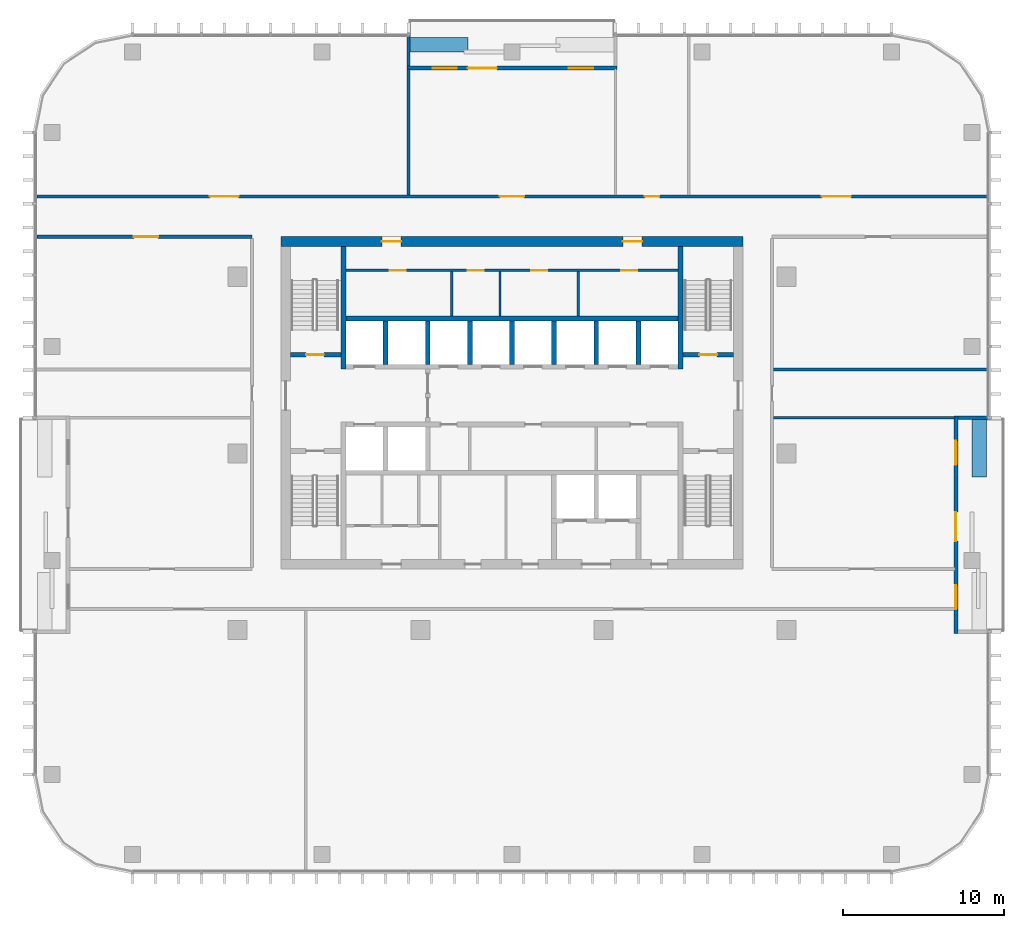
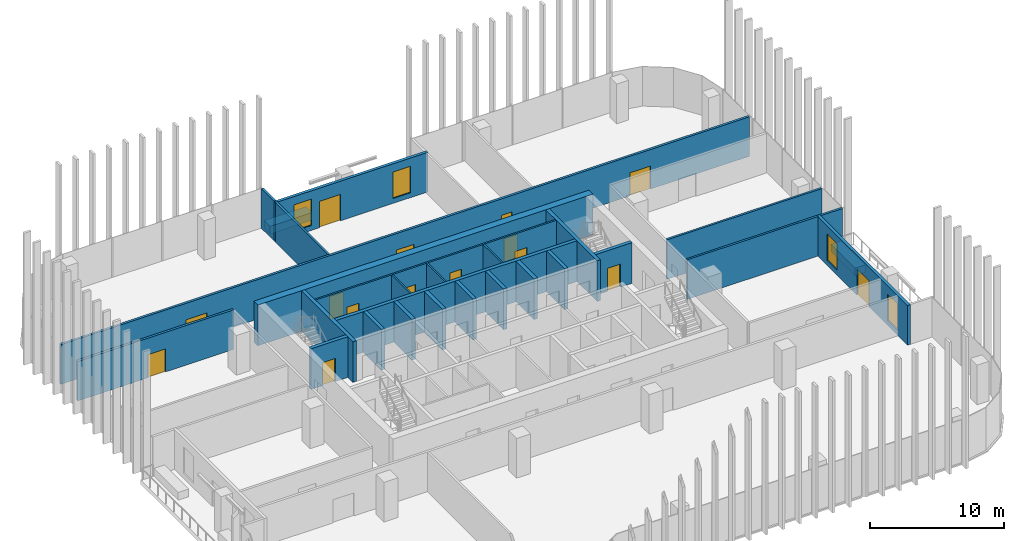
# One storey, part 9 of 16: 28 walls, 15 doors, 4 windows, 19 openings.
"""IFC4 building model written with IfcOpenShell, lengths in metres."""

from ifc_helpers import new_model, si_unit, direction, frame, frame_2d, origin, place, context, subcontext, project, spatial, rectangle, extrude, material, layer, layer_set, type_object, element, fill, save


model = new_model("IFC4")

# Units and contexts
model_context = context("Model", 3, precision=1e-05, world=origin(), true_north=direction((0.0, 1.0)))
body_context = subcontext(model_context, "Body", "Model", "MODEL_VIEW")
ifc_project = project(units=[si_unit("LENGTHUNIT", "METRE"), si_unit("AREAUNIT", "SQUARE_METRE"), si_unit("VOLUMEUNIT", "CUBIC_METRE"), si_unit("PLANEANGLEUNIT", "RADIAN"), si_unit("MASSUNIT", "GRAM", prefix="KILO")], contexts=[model_context])

# Site, building, storey
site_placement = place(None, origin())
site = spatial("IfcSite", under=ifc_project, at=site_placement, CompositionType="ELEMENT")
building_placement = place(site_placement, origin())
building = spatial("IfcBuilding", under=site, at=building_placement, Name="Mopane Tessera Tower", CompositionType="ELEMENT")
storey_placement = place(building_placement, frame((0.0, 0.0, 279.39990234375)))
storey = spatial("IfcBuildingStorey", under=building, at=storey_placement, Name="L60", CompositionType="ELEMENT", Elevation=279.39990234375)

# Walls
ifc_material_1 = material(Name="Fire-rated gypsum board partition")
ifc_layer_1 = layer(ifc_material_1, 0.14990234375)
ifc_layer_set_1 = layer_set([ifc_layer_1], Name="Fire-rated gypsum board partition")
wall_type_1 = type_object("IfcWallType", Name="Core room partition 150 mm", PredefinedType="PARTITIONING", material=ifc_layer_set_1)
for number, where, z_axis, x_axis, name in (
    (1, (-3.75, 8.550048828125, 0.0), (0.0, 0.0, 1.0), (0.0, 1.0, 0.0), "L60 Room partition"),
    (2, (-0.75, 8.550048828125, 0.0), (0.0, 0.0, 1.0), (0.0, 1.0, 0.0), "L60 Room partition"),
    (3, (4.125, 8.550048828125, 0.0), (0.0, 0.0, 1.0), (0.0, 1.0, 0.0), "L60 Room partition"),
):
    element("IfcWall", number, at=place(storey_placement, frame(where, z_axis=z_axis, x_axis=x_axis)), inside=storey, type_object=wall_type_1, Name=name, PredefinedType="PARTITIONING", context=body_context, shape_type="SweptSolid", body=[
        extrude(rectangle(XDim=2.77490234375, YDim=0.14990234375, at=frame_2d((1.387451171875, 0.0))), origin(), (0.0, 0.0, 1.0), 3.7001953125),
    ])

# Wall, openings, doors
wall_1_placement = place(storey_placement, frame((-10.35009765625, 11.39990234375, 0.0), z_axis=(0.0, 0.0, 1.0), x_axis=(1.0, 0.0, 0.0)))
wall_1 = element("IfcWall", 4, at=wall_1_placement, inside=storey, type_object=wall_type_1, Name="L60 Corridor wall", PredefinedType="PARTITIONING", context=body_context, shape_type="SweptSolid", body=[
    extrude(rectangle(XDim=20.7001953125, YDim=0.14990234375, at=frame_2d((10.35009765625, 0.0))), origin(), (0.0, 0.0, 1.0), 3.7001953125),
])
opening_1_placement = place(wall_1_placement, frame((2.72509765625, 0.0, 0.0)))
opening_1 = element("IfcOpeningElement", 5, at=opening_1_placement, cuts=wall_1, Name="Opening RD1", PredefinedType="OPENING", context=body_context, shape_type="SweptSolid", body=[
    extrude(rectangle(XDim=1.0, YDim=2.10009765625, at=frame_2d((0.5, 1.050048828125))), frame((0.0, 0.0869140625, 0.0), z_axis=(0.0, -1.0, 0.0), x_axis=(1.0, 0.0, 0.0)), (0.0, 0.0, 1.0), 0.173828125),
])
opening_2_placement = place(wall_1_placement, frame((7.60009765625, 0.0, 0.0)))
opening_2 = element("IfcOpeningElement", 6, at=opening_2_placement, cuts=wall_1, Name="Opening RD1", PredefinedType="OPENING", context=body_context, shape_type="SweptSolid", body=[
    extrude(rectangle(XDim=1.0, YDim=2.10009765625, at=frame_2d((0.5, 1.050048828125))), frame((0.0, 0.0869140625, 0.0), z_axis=(0.0, -1.0, 0.0), x_axis=(1.0, 0.0, 0.0)), (0.0, 0.0, 1.0), 0.173828125),
])
opening_3_placement = place(wall_1_placement, frame((11.53759765625, 0.0, 0.0)))
opening_3 = element("IfcOpeningElement", 7, at=opening_3_placement, cuts=wall_1, Name="Opening RD1", PredefinedType="OPENING", context=body_context, shape_type="SweptSolid", body=[
    extrude(rectangle(XDim=1.0, YDim=2.10009765625, at=frame_2d((0.5, 1.050048828125))), frame((0.0, 0.0869140625, 0.0), z_axis=(0.0, -1.0, 0.0), x_axis=(1.0, 0.0, 0.0)), (0.0, 0.0, 1.0), 0.173828125),
])
opening_4_placement = place(wall_1_placement, frame((17.16259765625, 0.0, 0.0)))
opening_4 = element("IfcOpeningElement", 8, at=opening_4_placement, cuts=wall_1, Name="Opening RD1", PredefinedType="OPENING", context=body_context, shape_type="SweptSolid", body=[
    extrude(rectangle(XDim=1.0, YDim=2.10009765625, at=frame_2d((0.5, 1.050048828125))), frame((0.0, 0.0869140625, 0.0), z_axis=(0.0, -1.0, 0.0), x_axis=(1.0, 0.0, 0.0)), (0.0, 0.0, 1.0), 0.173828125),
])
ifc_material_2 = material(Name="Timber door", Category="wood")
door_type_1 = type_object("IfcDoorType", Name="Core room door 1000 x 2100", OperationType="SINGLE_SWING_LEFT", PredefinedType="DOOR", material=ifc_material_2)
door_1_placement = place(opening_1_placement, origin())
door_1 = element("IfcDoor", 9, at=door_1_placement, inside=storey, type_object=door_type_1, Name="L60 Room door", OperationType="SINGLE_SWING_LEFT", OverallHeight=2.10009765625, OverallWidth=1.0, PredefinedType="DOOR", context=body_context, shape_type="SweptSolid", body=[
    extrude(rectangle(XDim=1.0, YDim=2.10009765625, at=frame_2d((0.5, 1.050048828125))), frame((0.0, 0.02490234375, 0.0), z_axis=(0.0, -1.0, 0.0), x_axis=(1.0, 0.0, 0.0)), (0.0, 0.0, 1.0), 0.050048828125),
])
fill(opening_1, door_1)
door_2_placement = place(opening_2_placement, origin())
door_2 = element("IfcDoor", 10, at=door_2_placement, inside=storey, type_object=door_type_1, Name="L60 Room door", OperationType="SINGLE_SWING_LEFT", OverallHeight=2.10009765625, OverallWidth=1.0, PredefinedType="DOOR", context=body_context, shape_type="SweptSolid", body=[
    extrude(rectangle(XDim=1.0, YDim=2.10009765625, at=frame_2d((0.5, 1.050048828125))), frame((0.0, 0.02490234375, 0.0), z_axis=(0.0, -1.0, 0.0), x_axis=(1.0, 0.0, 0.0)), (0.0, 0.0, 1.0), 0.050048828125),
])
fill(opening_2, door_2)
door_3_placement = place(opening_3_placement, origin())
door_3 = element("IfcDoor", 11, at=door_3_placement, inside=storey, type_object=door_type_1, Name="L60 Room door", OperationType="SINGLE_SWING_LEFT", OverallHeight=2.10009765625, OverallWidth=1.0, PredefinedType="DOOR", context=body_context, shape_type="SweptSolid", body=[
    extrude(rectangle(XDim=1.0, YDim=2.10009765625, at=frame_2d((0.5, 1.050048828125))), frame((0.0, 0.02490234375, 0.0), z_axis=(0.0, -1.0, 0.0), x_axis=(1.0, 0.0, 0.0)), (0.0, 0.0, 1.0), 0.050048828125),
])
fill(opening_3, door_3)
door_4_placement = place(opening_4_placement, origin())
door_4 = element("IfcDoor", 12, at=door_4_placement, inside=storey, type_object=door_type_1, Name="L60 Room door", OperationType="SINGLE_SWING_LEFT", OverallHeight=2.10009765625, OverallWidth=1.0, PredefinedType="DOOR", context=body_context, shape_type="SweptSolid", body=[
    extrude(rectangle(XDim=1.0, YDim=2.10009765625, at=frame_2d((0.5, 1.050048828125))), frame((0.0, 0.02490234375, 0.0), z_axis=(0.0, -1.0, 0.0), x_axis=(1.0, 0.0, 0.0)), (0.0, 0.0, 1.0), 0.050048828125),
])
fill(opening_4, door_4)

ifc_material_3 = material(Name="Concrete C70/85", Category="concrete")
ifc_layer_2 = layer(ifc_material_3, 0.60009765625)
ifc_layer_set_2 = layer_set([ifc_layer_2], Name="Concrete C70/85")
wall_type_2 = type_object("IfcWallType", Name="Core shear wall 600 mm", PredefinedType="SHEAR", material=ifc_layer_set_2)
wall_2_placement = place(storey_placement, frame((-14.39990234375, 13.199951171875, 0.0), z_axis=(0.0, 0.0, 1.0), x_axis=(1.0, 0.0, 0.0)))
wall_2 = element("IfcWall", 13, at=wall_2_placement, inside=storey, type_object=wall_type_2, Name="L60 Core wall north", PredefinedType="SHEAR", context=body_context, shape_type="SweptSolid", body=[
    extrude(rectangle(XDim=28.7998046875, YDim=0.60009765625, at=frame_2d((14.39990234375, 0.0))), origin(), (0.0, 0.0, 1.0), 3.7001953125),
])
opening_5_placement = place(wall_2_placement, frame((6.300048828125, 0.0, 0.0)))
opening_5 = element("IfcOpeningElement", 14, at=opening_5_placement, cuts=wall_2, Name="Opening RD2", PredefinedType="OPENING", context=body_context, shape_type="SweptSolid", body=[
    extrude(rectangle(XDim=1.199951171875, YDim=2.10009765625, at=frame_2d((0.60009765625, 1.050048828125))), frame((0.0, 0.31201171875, 0.0), z_axis=(0.0, -1.0, 0.0), x_axis=(1.0, 0.0, 0.0)), (0.0, 0.0, 1.0), 0.6240234375),
])
opening_6_placement = place(wall_2_placement, frame((21.300048828125, 0.0, 0.0)))
opening_6 = element("IfcOpeningElement", 15, at=opening_6_placement, cuts=wall_2, Name="Opening RD2", PredefinedType="OPENING", context=body_context, shape_type="SweptSolid", body=[
    extrude(rectangle(XDim=1.199951171875, YDim=2.10009765625, at=frame_2d((0.60009765625, 1.050048828125))), frame((0.0, 0.31201171875, 0.0), z_axis=(0.0, -1.0, 0.0), x_axis=(1.0, 0.0, 0.0)), (0.0, 0.0, 1.0), 0.6240234375),
])
ifc_material_4 = material(Name="Timber door", Category="wood")
door_type_2 = type_object("IfcDoorType", Name="Core corridor door 1200 x 2100", OperationType="SINGLE_SWING_LEFT", PredefinedType="DOOR", material=ifc_material_4)
door_5_placement = place(opening_5_placement, origin())
door_5 = element("IfcDoor", 16, at=door_5_placement, inside=storey, type_object=door_type_2, Name="L60 Corridor door", OperationType="SINGLE_SWING_LEFT", OverallHeight=2.10009765625, OverallWidth=1.199951171875, PredefinedType="DOOR", context=body_context, shape_type="SweptSolid", body=[
    extrude(rectangle(XDim=1.199951171875, YDim=2.10009765625, at=frame_2d((0.60009765625, 1.050048828125))), frame((0.0, 0.02490234375, 0.0), z_axis=(0.0, -1.0, 0.0), x_axis=(1.0, 0.0, 0.0)), (0.0, 0.0, 1.0), 0.050048828125),
])
fill(opening_5, door_5)
door_6_placement = place(opening_6_placement, origin())
door_6 = element("IfcDoor", 17, at=door_6_placement, inside=storey, type_object=door_type_2, Name="L60 Corridor door", OperationType="SINGLE_SWING_RIGHT", OverallHeight=2.10009765625, OverallWidth=1.199951171875, PredefinedType="DOOR", context=body_context, shape_type="SweptSolid", body=[
    extrude(rectangle(XDim=1.199951171875, YDim=2.10009765625, at=frame_2d((0.60009765625, 1.050048828125))), frame((0.0, 0.02490234375, 0.0), z_axis=(0.0, -1.0, 0.0), x_axis=(1.0, 0.0, 0.0)), (0.0, 0.0, 1.0), 0.050048828125),
])
fill(opening_6, door_6)

# Walls
ifc_material_5 = material(Name="Concrete C60/75", Category="concrete")
ifc_layer_3 = layer(ifc_material_5, 0.300048828125)
ifc_layer_set_3 = layer_set([ifc_layer_3], Name="Concrete C60/75")
wall_type_3 = type_object("IfcWallType", Name="Core spine wall 300 mm", PredefinedType="SHEAR", material=ifc_layer_set_3)
for number, where, z_axis, x_axis, name in (
    (18, (-10.5, 5.25, 0.0), (0.0, 0.0, 1.0), (0.0, 1.0, 0.0), "L60 Core spine wall"),
    (19, (10.5, 5.25, 0.0), (0.0, 0.0, 1.0), (0.0, 1.0, 0.0), "L60 Core spine wall"),
):
    element("IfcWall", number, at=place(storey_placement, frame(where, z_axis=z_axis, x_axis=x_axis)), inside=storey, type_object=wall_type_3, Name=name, PredefinedType="SHEAR", context=body_context, shape_type="SweptSolid", body=[
        extrude(rectangle(XDim=7.64990234375, YDim=0.300048828125, at=frame_2d((3.824951171875, 0.0))), origin(), (0.0, 0.0, 1.0), 3.7001953125),
    ])
ifc_material_6 = material(Name="Gypsum board on staggered steel studs, double layer each face, acoustic mineral wool infill", Category="steel")
ifc_layer_4 = layer(ifc_material_6, 0.175048828125)
ifc_layer_set_4 = layer_set([ifc_layer_4], Name="Gypsum board on staggered steel studs, double layer each face, acoustic mineral wool infill")
wall_type_4 = type_object("IfcWallType", Name="Gypsum board acoustic partition 175, rated EI 60", PredefinedType="PARTITIONING", material=ifc_layer_set_4)
wall_3_placement = place(storey_placement, frame((16.300048828125, 2.219970703125, 0.0), z_axis=(0.0, 0.0, 1.0), x_axis=(1.0, 0.0, 0.0)))
element("IfcWall", 20, at=wall_3_placement, inside=storey, type_object=wall_type_4, Name="Partition L60:004", PredefinedType="PARTITIONING", context=body_context, shape_type="SweptSolid", body=[
    extrude(rectangle(XDim=11.300048828125, YDim=0.175048828125, at=frame_2d((5.64990234375, 0.0))), origin(), (0.0, 0.0, 1.0), 3.60009765625),
])
wall_4_placement = place(storey_placement, frame((16.300048828125, 5.219970703125, 0.0), z_axis=(0.0, 0.0, 1.0), x_axis=(1.0, 0.0, 0.0)))
element("IfcWall", 21, at=wall_4_placement, inside=storey, type_object=wall_type_4, Name="Partition L60:006", PredefinedType="PARTITIONING", context=body_context, shape_type="SweptSolid", body=[
    extrude(rectangle(XDim=13.300048828125, YDim=0.175048828125, at=frame_2d((6.64990234375, 0.0))), origin(), (0.0, 0.0, 1.0), 3.60009765625),
])
wall_5_placement = place(storey_placement, frame((-6.449951171875, 16.10009765625, 0.0), z_axis=(0.0, 0.0, 1.0), x_axis=(0.0, 1.0, 0.0)))
element("IfcWall", 22, at=wall_5_placement, inside=storey, type_object=wall_type_4, Name="Partition L60:012", PredefinedType="PARTITIONING", context=body_context, shape_type="SweptSolid", body=[
    extrude(rectangle(XDim=7.849853515625, YDim=0.175048828125, at=frame_2d((3.9248046875, 0.0))), origin(), (0.0, 0.0, 1.0), 3.60009765625),
])

# Wall, opening, door
ifc_material_7 = material(Name="Gypsum board on steel studs, two layers each face, mineral wool infill", Category="steel")
ifc_layer_5 = layer(ifc_material_7, 0.199951171875)
ifc_layer_set_5 = layer_set([ifc_layer_5], Name="Gypsum board on steel studs, two layers each face, mineral wool infill")
wall_type_5 = type_object("IfcWallType", Name="Gypsum board corridor wall 200, rated EI 60", PredefinedType="PARTITIONING", material=ifc_layer_set_5)
wall_6_placement = place(storey_placement, frame((-29.60009765625, 13.5, 0.0), z_axis=(0.0, 0.0, 1.0), x_axis=(1.0, 0.0, 0.0)))
wall_6 = element("IfcWall", 23, at=wall_6_placement, inside=storey, type_object=wall_type_5, Name="Partition L60:007", PredefinedType="PARTITIONING", context=body_context, shape_type="SweptSolid", body=[
    extrude(rectangle(XDim=13.400146484375, YDim=0.199951171875, at=frame_2d((6.7001953125, 0.0))), origin(), (0.0, 0.0, 1.0), 3.60009765625),
])
opening_7_placement = place(wall_6_placement, frame((6.050048828125, 0.0, 0.0)))
opening_7 = element("IfcOpeningElement", 24, at=opening_7_placement, cuts=wall_6, Name="Opening L60-01", PredefinedType="OPENING", context=body_context, shape_type="SweptSolid", body=[
    extrude(rectangle(XDim=1.5, YDim=2.10009765625, at=frame_2d((0.75, 1.050048828125))), frame((0.0, 0.112060546875, 0.0), z_axis=(0.0, -1.0, 0.0), x_axis=(1.0, 0.0, 0.0)), (0.0, 0.0, 1.0), 0.223876953125),
])
ifc_material_8 = material(Name="Timber veneered steel-framed fire door", Category="steel")
door_type_3 = type_object("IfcDoorType", Name="Fire door pair FD60 1500 x 2100", OperationType="DOUBLE_DOOR_SINGLE_SWING", PredefinedType="DOOR", material=ifc_material_8)
door_7_placement = place(opening_7_placement, origin())
door_7 = element("IfcDoor", 25, at=door_7_placement, inside=storey, type_object=door_type_3, Name="Door L60-01", ObjectType="D17A", OperationType="DOUBLE_DOOR_SINGLE_SWING", OverallHeight=2.10009765625, OverallWidth=1.5, PredefinedType="DOOR", context=body_context, shape_type="SweptSolid", body=[
    extrude(rectangle(XDim=1.5, YDim=2.10009765625, at=frame_2d((0.75, 1.050048828125))), frame((0.0, 0.02490234375, 0.0), z_axis=(0.0, -1.0, 0.0), x_axis=(1.0, 0.0, 0.0)), (0.0, 0.0, 1.0), 0.050048828125),
])
fill(opening_7, door_7)

# Wall, openings, doors
wall_7_placement = place(storey_placement, frame((-29.60009765625, 16.0, 0.0), z_axis=(0.0, 0.0, 1.0), x_axis=(1.0, 0.0, 0.0)))
wall_7 = element("IfcWall", 26, at=wall_7_placement, inside=storey, type_object=wall_type_5, Name="Partition L60:009", PredefinedType="PARTITIONING", context=body_context, shape_type="SweptSolid", body=[
    extrude(rectangle(XDim=59.2001953125, YDim=0.199951171875, at=frame_2d((29.60009765625, 0.0))), origin(), (0.0, 0.0, 1.0), 3.60009765625),
])
opening_8_placement = place(wall_7_placement, frame((48.905029296875, 0.0, 0.0)))
opening_8 = element("IfcOpeningElement", 27, at=opening_8_placement, cuts=wall_7, Name="Opening L60-02", PredefinedType="OPENING", context=body_context, shape_type="SweptSolid", body=[
    extrude(rectangle(XDim=1.800048828125, YDim=2.10009765625, at=frame_2d((0.89990234375, 1.050048828125))), frame((0.0, 0.112060546875, 0.0), z_axis=(0.0, -1.0, 0.0), x_axis=(1.0, 0.0, 0.0)), (0.0, 0.0, 1.0), 0.223876953125),
])
opening_9_placement = place(wall_7_placement, frame((37.8798828125, 0.0, 0.0)))
opening_9 = element("IfcOpeningElement", 28, at=opening_9_placement, cuts=wall_7, Name="Opening L60-04", PredefinedType="OPENING", context=body_context, shape_type="SweptSolid", body=[
    extrude(rectangle(XDim=0.89990234375, YDim=2.10009765625, at=frame_2d((0.449951171875, 1.050048828125))), frame((0.0, 0.112060546875, 0.0), z_axis=(0.0, -1.0, 0.0), x_axis=(1.0, 0.0, 0.0)), (0.0, 0.0, 1.0), 0.223876953125),
])
opening_10_placement = place(wall_7_placement, frame((10.77490234375, 0.0, 0.0)))
opening_10 = element("IfcOpeningElement", 29, at=opening_10_placement, cuts=wall_7, Name="Opening L60-07", PredefinedType="OPENING", context=body_context, shape_type="SweptSolid", body=[
    extrude(rectangle(XDim=1.800048828125, YDim=2.10009765625, at=frame_2d((0.89990234375, 1.050048828125))), frame((0.0, 0.112060546875, 0.0), z_axis=(0.0, -1.0, 0.0), x_axis=(1.0, 0.0, 0.0)), (0.0, 0.0, 1.0), 0.223876953125),
])
opening_11_placement = place(wall_7_placement, frame((28.85009765625, 0.0, 0.0)))
opening_11 = element("IfcOpeningElement", 30, at=opening_11_placement, cuts=wall_7, Name="Opening L60-11", PredefinedType="OPENING", context=body_context, shape_type="SweptSolid", body=[
    extrude(rectangle(XDim=1.5, YDim=2.10009765625, at=frame_2d((0.75, 1.050048828125))), frame((0.0, 0.112060546875, 0.0), z_axis=(0.0, -1.0, 0.0), x_axis=(1.0, 0.0, 0.0)), (0.0, 0.0, 1.0), 0.223876953125),
])
ifc_material_9 = material(Name="Timber veneered steel-framed fire door", Category="steel")
door_type_4 = type_object("IfcDoorType", Name="Fire door FD60 900 x 2100", OperationType="SINGLE_SWING_LEFT", PredefinedType="DOOR", material=ifc_material_9)
door_8_placement = place(opening_9_placement, origin())
door_8 = element("IfcDoor", 31, at=door_8_placement, inside=storey, type_object=door_type_4, Name="Door L60-04", ObjectType="D10A", OperationType="SINGLE_SWING_LEFT", OverallHeight=2.10009765625, OverallWidth=0.89990234375, PredefinedType="DOOR", context=body_context, shape_type="SweptSolid", body=[
    extrude(rectangle(XDim=0.89990234375, YDim=2.10009765625, at=frame_2d((0.449951171875, 1.050048828125))), frame((0.0, 0.02490234375, 0.0), z_axis=(0.0, -1.0, 0.0), x_axis=(1.0, 0.0, 0.0)), (0.0, 0.0, 1.0), 0.050048828125),
])
fill(opening_9, door_8)
door_9_placement = place(opening_11_placement, origin())
door_9 = element("IfcDoor", 32, at=door_9_placement, inside=storey, type_object=door_type_3, Name="Door L60-11", ObjectType="D17A", OperationType="DOUBLE_DOOR_SINGLE_SWING", OverallHeight=2.10009765625, OverallWidth=1.5, PredefinedType="DOOR", context=body_context, shape_type="SweptSolid", body=[
    extrude(rectangle(XDim=1.5, YDim=2.10009765625, at=frame_2d((0.75, 1.050048828125))), frame((0.0, 0.02490234375, 0.0), z_axis=(0.0, -1.0, 0.0), x_axis=(1.0, 0.0, 0.0)), (0.0, 0.0, 1.0), 0.050048828125),
])
fill(opening_11, door_9)
ifc_material_10 = material(Name="Timber veneered steel-framed fire door", Category="steel")
door_type_5 = type_object("IfcDoorType", Name="Fire door pair FD60 1800 x 2100", OperationType="DOUBLE_DOOR_SINGLE_SWING", PredefinedType="DOOR", material=ifc_material_10)
door_10_placement = place(opening_8_placement, origin())
door_10 = element("IfcDoor", 33, at=door_10_placement, inside=storey, type_object=door_type_5, Name="Door L60-02", ObjectType="D20A", OperationType="DOUBLE_DOOR_SINGLE_SWING", OverallHeight=2.10009765625, OverallWidth=1.800048828125, PredefinedType="DOOR", context=body_context, shape_type="SweptSolid", body=[
    extrude(rectangle(XDim=1.800048828125, YDim=2.10009765625, at=frame_2d((0.89990234375, 1.050048828125))), frame((0.0, 0.02490234375, 0.0), z_axis=(0.0, -1.0, 0.0), x_axis=(1.0, 0.0, 0.0)), (0.0, 0.0, 1.0), 0.050048828125),
])
fill(opening_8, door_10)
door_11_placement = place(opening_10_placement, origin())
door_11 = element("IfcDoor", 34, at=door_11_placement, inside=storey, type_object=door_type_5, Name="Door L60-07", ObjectType="D20A", OperationType="DOUBLE_DOOR_SINGLE_SWING", OverallHeight=2.10009765625, OverallWidth=1.800048828125, PredefinedType="DOOR", context=body_context, shape_type="SweptSolid", body=[
    extrude(rectangle(XDim=1.800048828125, YDim=2.10009765625, at=frame_2d((0.89990234375, 1.050048828125))), frame((0.0, 0.02490234375, 0.0), z_axis=(0.0, -1.0, 0.0), x_axis=(1.0, 0.0, 0.0)), (0.0, 0.0, 1.0), 0.050048828125),
])
fill(opening_10, door_11)

# Wall, opening, door
ifc_material_11 = material(Name="Concrete C50/60", Category="concrete")
ifc_layer_6 = layer(ifc_material_11, 0.300048828125)
ifc_layer_set_6 = layer_set([ifc_layer_6], Name="Concrete C50/60")
wall_type_6 = type_object("IfcWallType", Name="Lift and stair shaft wall 300 mm", PredefinedType="SOLIDWALL", material=ifc_layer_set_6)
wall_8_placement = place(storey_placement, frame((-13.800048828125, 6.14990234375, 0.0), z_axis=(0.0, 0.0, 1.0), x_axis=(1.0, 0.0, 0.0)))
wall_8 = element("IfcWall", 35, at=wall_8_placement, inside=storey, type_object=wall_type_6, Name="L60 Stair enclosure wall", PredefinedType="SOLIDWALL", context=body_context, shape_type="SweptSolid", body=[
    extrude(rectangle(XDim=3.150146484375, YDim=0.300048828125, at=frame_2d((1.5751953125, 0.0))), origin(), (0.0, 0.0, 1.0), 3.7001953125),
])
opening_12_placement = place(wall_8_placement, frame((0.97509765625, 0.0, 0.0)))
opening_12 = element("IfcOpeningElement", 36, at=opening_12_placement, cuts=wall_8, Name="Opening SD1", PredefinedType="OPENING", context=body_context, shape_type="SweptSolid", body=[
    extrude(rectangle(XDim=1.10009765625, YDim=2.10009765625, at=frame_2d((0.550048828125, 1.050048828125))), frame((0.0, 0.162109375, 0.0), z_axis=(0.0, -1.0, 0.0), x_axis=(1.0, 0.0, 0.0)), (0.0, 0.0, 1.0), 0.323974609375),
])
ifc_material_12 = material(Name="Steel fire door", Category="steel")
door_type_6 = type_object("IfcDoorType", Name="Stair fire door 1100 x 2100", OperationType="SINGLE_SWING_LEFT", PredefinedType="DOOR", material=ifc_material_12)
door_12_placement = place(opening_12_placement, origin())
door_12 = element("IfcDoor", 37, at=door_12_placement, inside=storey, type_object=door_type_6, Name="L60 Stair door ST2", OperationType="SINGLE_SWING_LEFT", OverallHeight=2.10009765625, OverallWidth=1.10009765625, PredefinedType="DOOR", context=body_context, shape_type="SweptSolid", body=[
    extrude(rectangle(XDim=1.10009765625, YDim=2.10009765625, at=frame_2d((0.550048828125, 1.050048828125))), frame((0.0, 0.02490234375, 0.0), z_axis=(0.0, -1.0, 0.0), x_axis=(1.0, 0.0, 0.0)), (0.0, 0.0, 1.0), 0.050048828125),
])
fill(opening_12, door_12)

wall_9_placement = place(storey_placement, frame((10.64990234375, 6.14990234375, 0.0), z_axis=(0.0, 0.0, 1.0), x_axis=(1.0, 0.0, 0.0)))
wall_9 = element("IfcWall", 38, at=wall_9_placement, inside=storey, type_object=wall_type_6, Name="L60 Stair enclosure wall", PredefinedType="SOLIDWALL", context=body_context, shape_type="SweptSolid", body=[
    extrude(rectangle(XDim=3.150146484375, YDim=0.300048828125, at=frame_2d((1.5751953125, 0.0))), origin(), (0.0, 0.0, 1.0), 3.7001953125),
])
opening_13_placement = place(wall_9_placement, frame((1.02490234375, 0.0, 0.0)))
opening_13 = element("IfcOpeningElement", 39, at=opening_13_placement, cuts=wall_9, Name="Opening SD1", PredefinedType="OPENING", context=body_context, shape_type="SweptSolid", body=[
    extrude(rectangle(XDim=1.10009765625, YDim=2.10009765625, at=frame_2d((0.550048828125, 1.050048828125))), frame((0.0, 0.162109375, 0.0), z_axis=(0.0, -1.0, 0.0), x_axis=(1.0, 0.0, 0.0)), (0.0, 0.0, 1.0), 0.323974609375),
])
door_13_placement = place(opening_13_placement, origin())
door_13 = element("IfcDoor", 40, at=door_13_placement, inside=storey, type_object=door_type_6, Name="L60 Stair door ST4", OperationType="SINGLE_SWING_RIGHT", OverallHeight=2.10009765625, OverallWidth=1.10009765625, PredefinedType="DOOR", context=body_context, shape_type="SweptSolid", body=[
    extrude(rectangle(XDim=1.10009765625, YDim=2.10009765625, at=frame_2d((0.550048828125, 1.050048828125))), frame((0.0, 0.02490234375, 0.0), z_axis=(0.0, -1.0, 0.0), x_axis=(1.0, 0.0, 0.0)), (0.0, 0.0, 1.0), 0.050048828125),
])
fill(opening_13, door_13)

# Walls
wall_10_placement = place(storey_placement, frame((-10.35009765625, 8.39990234375, 0.0), z_axis=(0.0, 0.0, 1.0), x_axis=(1.0, 0.0, 0.0)))
element("IfcWall", 41, at=wall_10_placement, inside=storey, type_object=wall_type_6, Name="L60 Lift shaft rear wall", PredefinedType="SOLIDWALL", context=body_context, shape_type="SweptSolid", body=[
    extrude(rectangle(XDim=20.7001953125, YDim=0.300048828125, at=frame_2d((10.35009765625, 0.0))), origin(), (0.0, 0.0, 1.0), 3.7001953125),
])
for number, where, z_axis, x_axis, name in (
    (42, (-7.875, 5.550048828125, 0.0), (0.0, 0.0, 1.0), (0.0, 1.0, 0.0), "L60 Lift shaft wall"),
    (43, (-5.25, 5.550048828125, 0.0), (0.0, 0.0, 1.0), (0.0, 1.0, 0.0), "L60 Lift shaft wall"),
    (44, (-2.625, 5.550048828125, 0.0), (0.0, 0.0, 1.0), (0.0, 1.0, 0.0), "L60 Lift shaft wall"),
    (45, (0.0, 5.550048828125, 0.0), (0.0, 0.0, 1.0), (0.0, 1.0, 0.0), "L60 Lift shaft wall"),
    (46, (2.625, 5.550048828125, 0.0), (0.0, 0.0, 1.0), (0.0, 1.0, 0.0), "L60 Lift shaft wall"),
    (47, (5.25, 5.550048828125, 0.0), (0.0, 0.0, 1.0), (0.0, 1.0, 0.0), "L60 Lift shaft wall"),
    (48, (7.875, 5.550048828125, 0.0), (0.0, 0.0, 1.0), (0.0, 1.0, 0.0), "L60 Lift shaft wall"),
):
    element("IfcWall", number, at=place(storey_placement, frame(where, z_axis=z_axis, x_axis=x_axis)), inside=storey, type_object=wall_type_6, Name=name, PredefinedType="SOLIDWALL", context=body_context, shape_type="SweptSolid", body=[
        extrude(rectangle(XDim=2.699951171875, YDim=0.300048828125, at=frame_2d((1.35009765625, 0.0))), origin(), (0.0, 0.0, 1.0), 3.7001953125),
    ])
ifc_material_13 = material(Name="Reinforced concrete C32/40 with waterproofing", Category="concrete")
ifc_layer_7 = layer(ifc_material_13, 0.89990234375)
ifc_layer_set_7 = layer_set([ifc_layer_7], Name="Reinforced concrete C32/40 with waterproofing")
wall_type_7 = type_object("IfcWallType", Name="Planter trough 3600 x 900", PredefinedType="STANDARD", material=ifc_layer_set_7)
for number, where, z_axis, x_axis, name in (
    (49, (29.10009765625, -1.477783203125, 0.0), (0.0, 0.0, 1.0), (0.0, 1.0, 0.0), "e:nw:L60:N1:pl1"),
    (50, (-2.75, 25.449951171875, 0.0), (0.0, 0.0, 1.0), (-1.0, 0.0, 0.0), "e:nw:L60:N2:pl1"),
):
    element("IfcWall", number, at=place(storey_placement, frame(where, z_axis=z_axis, x_axis=x_axis)), inside=storey, type_object=wall_type_7, Name=name, PredefinedType="STANDARD", context=body_context, shape_type="SweptSolid", body=[
        extrude(rectangle(XDim=3.60009765625, YDim=0.89990234375, at=frame_2d((1.800048828125, 0.0))), origin(), (0.0, 0.0, 1.0), 0.7001953125),
    ])
ifc_material_14 = material(Name="Blockwork with glazed tile facing", Category="masonry")
ifc_layer_8 = layer(ifc_material_14, 0.199951171875)
ifc_layer_set_8 = layer_set([ifc_layer_8], Name="Blockwork with glazed tile facing")
wall_type_8 = type_object("IfcWallType", Name="Terrace cheek wall 200", PredefinedType="STANDARD", material=ifc_layer_set_8)
for number, where, z_axis, x_axis, name in (
    (51, (29.64990234375, 2.22216796875, 0.0), (0.0, 0.0, 1.0), (-1.0, 0.0, 0.0), "e:nw:L60:N1:cheekb"),
    (52, (-6.449951171875, 26.0, 0.0), (0.0, 0.0, 1.0), (0.0, -1.0, 0.0), "e:nw:L60:N2:cheekb"),
):
    element("IfcWall", number, at=place(storey_placement, frame(where, z_axis=z_axis, x_axis=x_axis)), inside=storey, type_object=wall_type_8, Name=name, PredefinedType="STANDARD", context=body_context, shape_type="SweptSolid", body=[
        extrude(rectangle(XDim=1.875, YDim=0.199951171875, at=frame_2d((0.9375, 0.0))), origin(), (0.0, 0.0, 1.0), 3.60009765625),
    ])

# Wall, openings, windows, door
ifc_material_15 = material(Name="Blockwork with turquoise glazed tile facing", Category="masonry")
ifc_layer_9 = layer(ifc_material_15, 0.25)
ifc_layer_set_9 = layer_set([ifc_layer_9], Name="Blockwork with turquoise glazed tile facing")
wall_type_9 = type_object("IfcWallType", Name="Tile-clad external wall 250, turquoise", PredefinedType="STANDARD", material=ifc_layer_set_9)
wall_11_placement = place(storey_placement, frame((27.64990234375, -11.211181640625, 0.0), z_axis=(0.0, 0.0, 1.0), x_axis=(0.0, 1.0, 0.0)))
wall_11 = element("IfcWall", 53, at=wall_11_placement, inside=storey, type_object=wall_type_9, Name="e:nw:L60:N1:back", PredefinedType="STANDARD", context=body_context, shape_type="SweptSolid", body=[
    extrude(rectangle(XDim=13.533447265625, YDim=0.25, at=frame_2d((6.7666015625, 0.0))), origin(), (0.0, 0.0, 1.0), 3.60009765625),
])
opening_14_placement = place(wall_11_placement, frame((1.5, 0.0, 0.449951171875)))
opening_14 = element("IfcOpeningElement", 54, at=opening_14_placement, cuts=wall_11, Name="Opening NW601A", PredefinedType="OPENING", context=body_context, shape_type="SweptSolid", body=[
    extrude(rectangle(XDim=1.5, YDim=2.39990234375, at=frame_2d((0.75, 1.199951171875))), frame((0.0, 0.136962890625, 0.0), z_axis=(0.0, -1.0, 0.0), x_axis=(1.0, 0.0, 0.0)), (0.0, 0.0, 1.0), 0.27392578125),
])
opening_15_placement = place(wall_11_placement, frame((5.75, 0.0, 0.0)))
opening_15 = element("IfcOpeningElement", 55, at=opening_15_placement, cuts=wall_11, Name="Opening ND601", PredefinedType="OPENING", context=body_context, shape_type="SweptSolid", body=[
    extrude(rectangle(XDim=1.800048828125, YDim=2.39990234375, at=frame_2d((0.89990234375, 1.199951171875))), frame((0.0, 0.136962890625, 0.0), z_axis=(0.0, -1.0, 0.0), x_axis=(1.0, 0.0, 0.0)), (0.0, 0.0, 1.0), 0.27392578125),
])
opening_16_placement = place(wall_11_placement, frame((10.5, 0.0, 0.449951171875)))
opening_16 = element("IfcOpeningElement", 56, at=opening_16_placement, cuts=wall_11, Name="Opening NW601B", PredefinedType="OPENING", context=body_context, shape_type="SweptSolid", body=[
    extrude(rectangle(XDim=1.5, YDim=2.39990234375, at=frame_2d((0.75, 1.199951171875))), frame((0.0, 0.136962890625, 0.0), z_axis=(0.0, -1.0, 0.0), x_axis=(1.0, 0.0, 0.0)), (0.0, 0.0, 1.0), 0.27392578125),
])
ifc_material_16 = material(Name="Clear laminated glass", Category="glass")
window_type = type_object("IfcWindowType", Name="Fixed window 1500 x 2400", PartitioningType="SINGLE_PANEL", PredefinedType="WINDOW", material=ifc_material_16)
window_1_placement = place(opening_14_placement, origin())
window_1 = element("IfcWindow", 57, at=window_1_placement, inside=storey, type_object=window_type, Name="e:nw:L60:N1:win0", OverallHeight=2.39990234375, OverallWidth=1.5, PartitioningType="SINGLE_PANEL", PredefinedType="WINDOW", context=body_context, shape_type="SweptSolid", body=[
    extrude(rectangle(XDim=1.5, YDim=2.39990234375, at=frame_2d((0.75, 1.199951171875))), frame((0.0, 0.030029296875, 0.0), z_axis=(0.0, -1.0, 0.0), x_axis=(1.0, 0.0, 0.0)), (0.0, 0.0, 1.0), 0.06005859375),
])
fill(opening_14, window_1)
window_2_placement = place(opening_16_placement, origin())
window_2 = element("IfcWindow", 58, at=window_2_placement, inside=storey, type_object=window_type, Name="e:nw:L60:N1:win2", OverallHeight=2.39990234375, OverallWidth=1.5, PartitioningType="SINGLE_PANEL", PredefinedType="WINDOW", context=body_context, shape_type="SweptSolid", body=[
    extrude(rectangle(XDim=1.5, YDim=2.39990234375, at=frame_2d((0.75, 1.199951171875))), frame((0.0, 0.030029296875, 0.0), z_axis=(0.0, -1.0, 0.0), x_axis=(1.0, 0.0, 0.0)), (0.0, 0.0, 1.0), 0.06005859375),
])
fill(opening_16, window_2)
ifc_material_17 = material(Name="Aluminium and clear glass", Category="aluminium")
door_type_7 = type_object("IfcDoorType", Name="Terrace double door 1800 x 2400", OperationType="DOUBLE_DOOR_SINGLE_SWING", PredefinedType="DOOR", material=ifc_material_17)
door_14_placement = place(opening_15_placement, origin())
door_14 = element("IfcDoor", 59, at=door_14_placement, inside=storey, type_object=door_type_7, Name="e:nw:L60:N1:door", ObjectType="D1", OperationType="DOUBLE_DOOR_SINGLE_SWING", OverallHeight=2.39990234375, OverallWidth=1.800048828125, PredefinedType="DOOR", context=body_context, shape_type="SweptSolid", body=[
    extrude(rectangle(XDim=1.800048828125, YDim=2.39990234375, at=frame_2d((0.89990234375, 1.199951171875))), frame((0.0, 0.02490234375, 0.0), z_axis=(0.0, -1.0, 0.0), x_axis=(1.0, 0.0, 0.0)), (0.0, 0.0, 1.0), 0.050048828125),
])
fill(opening_15, door_14)

wall_12_placement = place(storey_placement, frame((6.550048828125, 24.0, 0.0), z_axis=(0.0, 0.0, 1.0), x_axis=(-1.0, 0.0, 0.0)))
wall_12 = element("IfcWall", 60, at=wall_12_placement, inside=storey, type_object=wall_type_9, Name="e:nw:L60:N2:back", PredefinedType="STANDARD", context=body_context, shape_type="SweptSolid", body=[
    extrude(rectangle(XDim=13.10009765625, YDim=0.25, at=frame_2d((6.550048828125, 0.0))), origin(), (0.0, 0.0, 1.0), 3.60009765625),
])
opening_17_placement = place(wall_12_placement, frame((1.5, 0.0, 0.449951171875)))
opening_17 = element("IfcOpeningElement", 61, at=opening_17_placement, cuts=wall_12, Name="Opening NW602A", PredefinedType="OPENING", context=body_context, shape_type="SweptSolid", body=[
    extrude(rectangle(XDim=1.5, YDim=2.39990234375, at=frame_2d((0.75, 1.199951171875))), frame((0.0, 0.136962890625, 0.0), z_axis=(0.0, -1.0, 0.0), x_axis=(1.0, 0.0, 0.0)), (0.0, 0.0, 1.0), 0.27392578125),
])
opening_18_placement = place(wall_12_placement, frame((7.5, 0.0, 0.0)))
opening_18 = element("IfcOpeningElement", 62, at=opening_18_placement, cuts=wall_12, Name="Opening ND602", PredefinedType="OPENING", context=body_context, shape_type="SweptSolid", body=[
    extrude(rectangle(XDim=1.800048828125, YDim=2.39990234375, at=frame_2d((0.89990234375, 1.199951171875))), frame((0.0, 0.136962890625, 0.0), z_axis=(0.0, -1.0, 0.0), x_axis=(1.0, 0.0, 0.0)), (0.0, 0.0, 1.0), 0.27392578125),
])
opening_19_placement = place(wall_12_placement, frame((10.0, 0.0, 0.449951171875)))
opening_19 = element("IfcOpeningElement", 63, at=opening_19_placement, cuts=wall_12, Name="Opening NW602B", PredefinedType="OPENING", context=body_context, shape_type="SweptSolid", body=[
    extrude(rectangle(XDim=1.5, YDim=2.39990234375, at=frame_2d((0.75, 1.199951171875))), frame((0.0, 0.136962890625, 0.0), z_axis=(0.0, -1.0, 0.0), x_axis=(1.0, 0.0, 0.0)), (0.0, 0.0, 1.0), 0.27392578125),
])
window_3_placement = place(opening_17_placement, origin())
window_3 = element("IfcWindow", 64, at=window_3_placement, inside=storey, type_object=window_type, Name="e:nw:L60:N2:win0", OverallHeight=2.39990234375, OverallWidth=1.5, PartitioningType="SINGLE_PANEL", PredefinedType="WINDOW", context=body_context, shape_type="SweptSolid", body=[
    extrude(rectangle(XDim=1.5, YDim=2.39990234375, at=frame_2d((0.75, 1.199951171875))), frame((0.0, 0.030029296875, 0.0), z_axis=(0.0, -1.0, 0.0), x_axis=(1.0, 0.0, 0.0)), (0.0, 0.0, 1.0), 0.06005859375),
])
fill(opening_17, window_3)
window_4_placement = place(opening_19_placement, origin())
window_4 = element("IfcWindow", 65, at=window_4_placement, inside=storey, type_object=window_type, Name="e:nw:L60:N2:win2", OverallHeight=2.39990234375, OverallWidth=1.5, PartitioningType="SINGLE_PANEL", PredefinedType="WINDOW", context=body_context, shape_type="SweptSolid", body=[
    extrude(rectangle(XDim=1.5, YDim=2.39990234375, at=frame_2d((0.75, 1.199951171875))), frame((0.0, 0.030029296875, 0.0), z_axis=(0.0, -1.0, 0.0), x_axis=(1.0, 0.0, 0.0)), (0.0, 0.0, 1.0), 0.06005859375),
])
fill(opening_19, window_4)
door_15_placement = place(opening_18_placement, origin())
door_15 = element("IfcDoor", 66, at=door_15_placement, inside=storey, type_object=door_type_7, Name="e:nw:L60:N2:door", ObjectType="D1", OperationType="DOUBLE_DOOR_SINGLE_SWING", OverallHeight=2.39990234375, OverallWidth=1.800048828125, PredefinedType="DOOR", context=body_context, shape_type="SweptSolid", body=[
    extrude(rectangle(XDim=1.800048828125, YDim=2.39990234375, at=frame_2d((0.89990234375, 1.199951171875))), frame((0.0, 0.02490234375, 0.0), z_axis=(0.0, -1.0, 0.0), x_axis=(1.0, 0.0, 0.0)), (0.0, 0.0, 1.0), 0.050048828125),
])
fill(opening_18, door_15)

save(model, "model.ifc")
